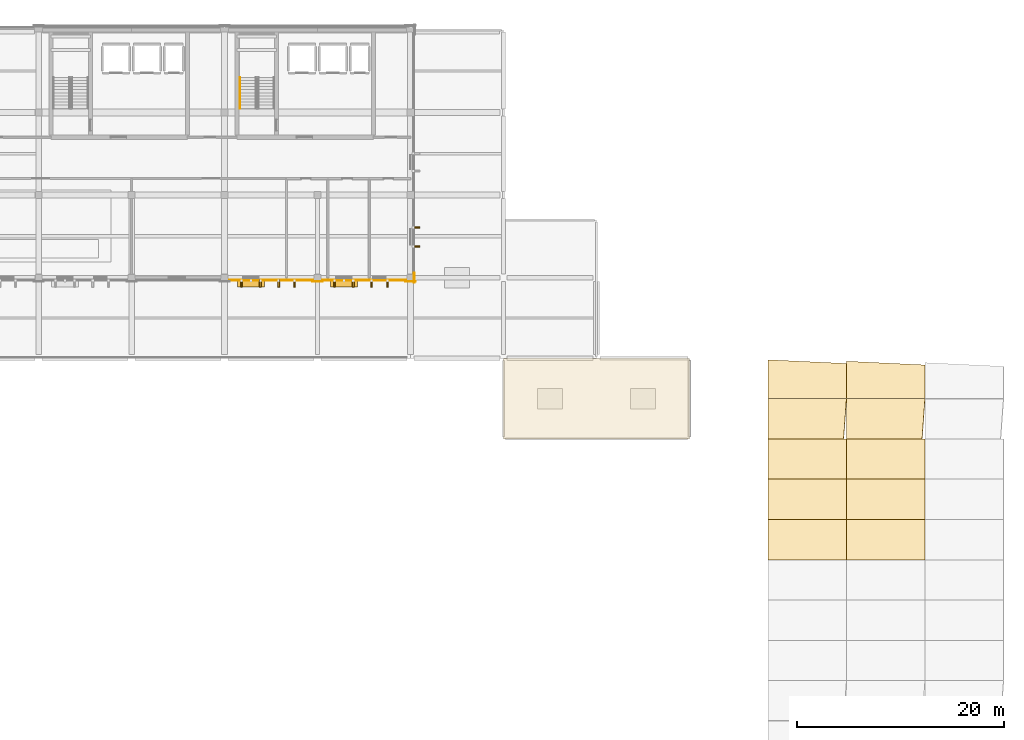
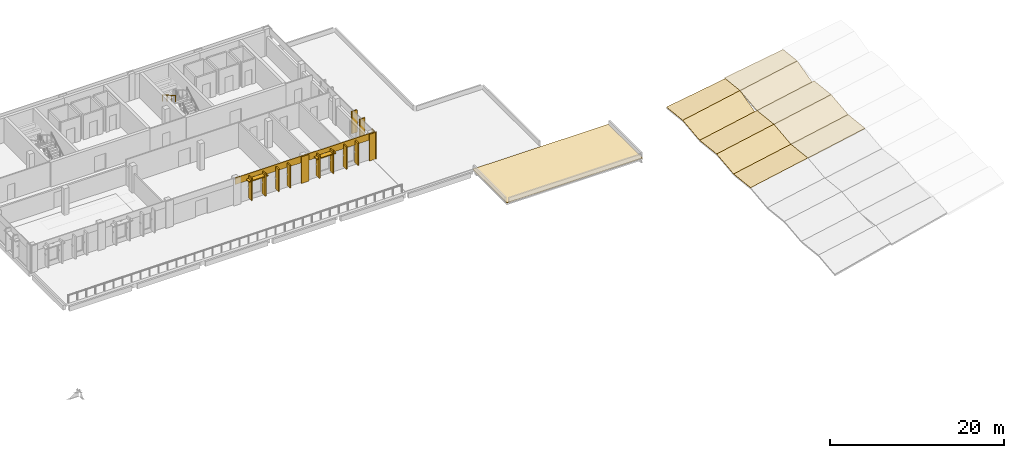
# One storey, part 21 of 23: 16 coverings, 12 shading devices, 1 railing.
"""IFC4 building model written with IfcOpenShell, lengths in metres."""

from ifc_helpers import new_model, si_unit, direction, frame, origin, origin_2d, place, context, subcontext, project, spatial, polyline, rectangle, circle, outline, extrude, material, layer, layer_set, type_object, element, save


model = new_model("IFC4")

# Units and contexts
model_context = context("Model", 3, precision=1e-05, world=origin(), true_north=direction((0.0, 1.0)))
body_context = subcontext(model_context, "Body", "Model", "MODEL_VIEW")
ifc_project = project(units=[si_unit("LENGTHUNIT", "METRE"), si_unit("AREAUNIT", "SQUARE_METRE"), si_unit("VOLUMEUNIT", "CUBIC_METRE"), si_unit("PLANEANGLEUNIT", "RADIAN"), si_unit("MASSUNIT", "GRAM", prefix="KILO")], contexts=[model_context])

# Site, building, storey
site_placement = place(None, origin())
site = spatial("IfcSite", under=ifc_project, at=site_placement, CompositionType="ELEMENT")
building_placement = place(site_placement, origin())
building = spatial("IfcBuilding", under=site, at=building_placement, Name="Vervanel Yard Central Library", CompositionType="ELEMENT")
storey_placement = place(building_placement, frame((0.0, 0.0, 16.52001953125)))
storey = spatial("IfcBuildingStorey", under=building, at=storey_placement, Name="L04", CompositionType="ELEMENT", Elevation=16.52001953125)

# Railing
ifc_material_1 = material(Name="Brushed stainless steel AISI 316", Category="steel")
railing_type = type_object("IfcRailingType", Name="Brushed Stainless Stair Handrail 900", PredefinedType="HANDRAIL", material=ifc_material_1)
railing_placement = place(storey_placement, frame((64.5, 109.39990234375, 2.0400390625)))
element("IfcRailing", 1, at=railing_placement, inside=storey, type_object=railing_type, Name="L04 ST-02 stair handrail 2", PredefinedType="HANDRAIL", context=body_context, shape_type="SweptSolid", body=[
    extrude(circle(Radius=0.02392578125, at=origin_2d()), frame((0.0, 0.0, 0.8759765625), z_axis=(0.0, -0.870028259722, 0.493001853226), x_axis=(1.0, 0.0, 0.0)), (0.0, 0.0, 1.0), 3.4482421875),
    extrude(circle(Radius=0.02099609375, at=origin_2d()), origin(), (0.0, 0.0, 1.0), 0.851806640625),
    extrude(circle(Radius=0.02099609375, at=origin_2d()), frame((0.0, -1.0, 0.566650390625)), (0.0, 0.0, 1.0), 0.851806640625),
    extrude(circle(Radius=0.02099609375, at=origin_2d()), frame((0.0, -2.0, 1.13330078125)), (0.0, 0.0, 1.0), 0.851806640625),
    extrude(circle(Radius=0.02099609375, at=origin_2d()), frame((0.0, -3.0, 1.699951171875)), (0.0, 0.0, 1.0), 0.851806640625),
])

# Coverings
ifc_material_2 = material(Name="Precast concrete C45/55", Category="concrete")
ifc_layer_1 = layer(ifc_material_2, 0.0849609375, Category="concrete")
ifc_layer_set_1 = layer_set([ifc_layer_1], Name="Precast concrete C45/55")
covering_type_1 = type_object("IfcCoveringType", Name="Bush-Hammered Precast Architectural Cladding Panel", PredefinedType="CLADDING", material=ifc_layer_set_1)
covering_1_placement = place(storey_placement, frame((67.5, 89.760009765625, 2.840087890625), z_axis=(0.0, 0.0, 1.0), x_axis=(1.0, 0.0, 0.0)))
element("IfcCovering", 2, at=covering_1_placement, inside=storey, type_object=covering_type_1, Name="L04 Precast Concrete Spandrel Cornice EWALL-L04-0068", PredefinedType="CLADDING", context=body_context, shape_type="SweptSolid", body=[
    extrude(rectangle(XDim=9.449951171875, YDim=0.0849609375, at=origin_2d()), origin(), (0.0, 0.0, 1.0), 0.919921875),
])
covering_2_placement = place(storey_placement, frame((72.0, 89.632568359375, 0.0), z_axis=(0.0, 0.0, 1.0), x_axis=(1.0, 0.0, 0.0)))
element("IfcCovering", 3, at=covering_2_placement, inside=storey, type_object=covering_type_1, Name="L04 Precast Concrete Pier Pilaster EWALL-L04-0068-B", PredefinedType="CLADDING", context=body_context, shape_type="SweptSolid", body=[
    extrude(rectangle(XDim=0.97998046875, YDim=0.0849609375, at=origin_2d()), origin(), (0.0, 0.0, 1.0), 3.760009765625),
])
covering_3_placement = place(storey_placement, frame((76.5, 89.760009765625, 2.840087890625), z_axis=(0.0, 0.0, 1.0), x_axis=(1.0, 0.0, 0.0)))
element("IfcCovering", 4, at=covering_3_placement, inside=storey, type_object=covering_type_1, Name="L04 Precast Concrete Spandrel Cornice EWALL-L04-0069", PredefinedType="CLADDING", context=body_context, shape_type="SweptSolid", body=[
    extrude(rectangle(XDim=9.449951171875, YDim=0.0849609375, at=origin_2d()), origin(), (0.0, 0.0, 1.0), 0.919921875),
])
for number, where, z_axis, x_axis, name in (
    (5, (81.0, 89.632568359375, 0.0), (0.0, 0.0, 1.0), (1.0, 0.0, 0.0), "L04 Precast Concrete Pier Pilaster EWALL-L04-0069-B"),
    (6, (81.367431640625, 90.0, 0.0), (0.0, 0.0, 1.0), (0.0, 1.0, 0.0), "L04 Precast Concrete Pier Pilaster EWALL-L04-0071-A"),
):
    element("IfcCovering", number, at=place(storey_placement, frame(where, z_axis=z_axis, x_axis=x_axis)), inside=storey, type_object=covering_type_1, Name=name, PredefinedType="CLADDING", context=body_context, shape_type="SweptSolid", body=[
        extrude(rectangle(XDim=0.97998046875, YDim=0.0849609375, at=origin_2d()), origin(), (0.0, 0.0, 1.0), 3.760009765625),
    ])

# Shading devices
shading_device_type_1 = type_object("IfcShadingDeviceType", Name="Horizontal Precast Brise-Soleil Sunhood 2600x680x140", PredefinedType="JALOUSIE", material=ifc_material_2)
for number, where, z_axis, x_axis, name in (
    (7, (65.550048828125, 89.4599609375, 2.97998046875), (0.0, 0.0, 1.0), (1.0, 0.0, 0.0), "L04 Precast Horizontal Sunhood 28"),
    (8, (74.550048828125, 89.4599609375, 2.97998046875), (0.0, 0.0, 1.0), (1.0, 0.0, 0.0), "L04 Precast Horizontal Sunhood 29"),
):
    element("IfcShadingDevice", number, at=place(storey_placement, frame(where, z_axis=z_axis, x_axis=x_axis)), inside=storey, type_object=shading_device_type_1, Name=name, PredefinedType="JALOUSIE", context=body_context, shape_type="SweptSolid", body=[
        extrude(rectangle(XDim=2.60009765625, YDim=0.679931640625, at=origin_2d()), origin(), (0.0, 0.0, 1.0), 0.139892578125),
    ])

# Coverings
ifc_material_3 = material(Name="Standing-seam dark zinc-coated metal roofing", Category="metal")
ifc_layer_2 = layer(ifc_material_3, 0.06494140625, Category="metal")
ifc_layer_set_2 = layer_set([ifc_layer_2], Name="Standing-seam dark zinc-coated metal roofing")
covering_type_2 = type_object("IfcCoveringType", Name="Standing-Seam Dark Zinc Roof Assembly", PredefinedType="ROOFING", material=ifc_layer_set_2)
covering_4_placement = place(storey_placement, origin())
element("IfcCovering", 9, at=covering_4_placement, inside=storey, type_object=covering_type_2, Name="L04 Roof Covering ROOF-L04-V3W", PredefinedType="ROOFING", context=body_context, shape_type="SweptSolid", body=[
    extrude(outline(polyline([(90.0, 74.39990234375), (108.0, 74.39990234375), (108.0, 82.199951171875), (90.0, 82.199951171875), (90.0, 74.39990234375)])), origin(), (0.0, 0.0, 1.0), 0.06494140625),
])
covering_5_placement = place(storey_placement, frame((115.60009765625, 62.699951171875, 0.302490234375), z_axis=(-0.194584882564, 0.10934530886, 0.974771935843), x_axis=(0.980652097773, 0.0, 0.19575868597)))
element("IfcCovering", 10, at=covering_5_placement, inside=storey, type_object=covering_type_2, Name="Standing-Seam Zinc Roofing V3-FS-B2-S06", PredefinedType="ROOFING", context=body_context, shape_type="SweptSolid", body=[
    extrude(outline(polyline([(0.0, 0.0), (7.749795807178863, 0.0), (7.664151382066939, 3.923673518786944), (-0.08564442511192301, 3.923673518786944), (0.0, 0.0)])), origin(), (0.0, 0.0, -1.0), 0.06494140625),
])
covering_6_placement = place(storey_placement, frame((115.60009765625, 66.60009765625, -0.135009765625), z_axis=(-0.194584736914, -0.109352072213, 0.974771206213), x_axis=(0.980652097773, 0.0, 0.19575868597)))
element("IfcCovering", 11, at=covering_6_placement, inside=storey, type_object=covering_type_2, Name="Standing-Seam Zinc Roofing V3-FS-B2-S07", PredefinedType="ROOFING", context=body_context, shape_type="SweptSolid", body=[
    extrude(outline(polyline([(0.0, 0.0), (7.749795807178863, 0.0), (7.835440232290786, 3.9234308421627606), (0.08564442511192301, 3.9234308421627606), (0.0, 0.0)])), origin(), (0.0, 0.0, -1.0), 0.06494140625),
])
covering_7_placement = place(storey_placement, frame((115.60009765625, 70.5, 0.302490234375), z_axis=(-0.194584736914, 0.109352072213, 0.974771206213), x_axis=(0.980652097773, 0.0, 0.19575868597)))
element("IfcCovering", 12, at=covering_7_placement, inside=storey, type_object=covering_type_2, Name="Standing-Seam Zinc Roofing V3-FS-B2-S08", PredefinedType="ROOFING", context=body_context, shape_type="SweptSolid", body=[
    extrude(outline(polyline([(0.0, 0.0), (7.749795807178863, 0.0), (7.664151382066939, 3.92343084216276), (-0.08564442511192301, 3.9234308421627606), (0.0, 0.0)])), origin(), (0.0, 0.0, -1.0), 0.06494140625),
])
covering_8_placement = place(storey_placement, frame((115.60009765625, 74.39990234375, -0.135009765625), z_axis=(-0.194584325626, -0.1093463891, 0.974771925843), x_axis=(0.980652206279, -6.1783e-08, 0.195758142411)))
element("IfcCovering", 13, at=covering_8_placement, inside=storey, type_object=covering_type_2, Name="Standing-Seam Zinc Roofing V3-FS-B2-S09", PredefinedType="ROOFING", context=body_context, shape_type="SweptSolid", body=[
    extrude(outline(polyline([(0.0, 0.0), (7.4642399733851565, -5.551115123125783e-17), (7.835439753518483, 3.9236744748785166), (0.08564394634082652, 3.923673529235079), (0.0, 0.0)])), origin(), (0.0, 0.0, -1.0), 0.06494140625),
])
covering_9_placement = place(storey_placement, frame((115.60009765625, 78.300048828125, 0.302490234375), z_axis=(-0.194579094651, 0.109320349997, 0.974775890655), x_axis=(0.980653352852, -7.05129e-07, 0.195752398555)))
element("IfcCovering", 14, at=covering_9_placement, inside=storey, type_object=covering_type_2, Name="Standing-Seam Zinc Roofing V3-FS-B2-S10", PredefinedType="ROOFING", context=body_context, shape_type="SweptSolid", body=[
    extrude(outline(polyline([(0.0, 0.0), (7.749795807017652, 2.7755575615628914e-17), (7.67514369125324, 3.4204077302387943), (-0.08253790331983774, 3.782675443543832), (0.0, 0.0)])), origin(), (0.0, 0.0, -1.0), 0.06494140625),
])
covering_10_placement = place(storey_placement, frame((123.199951171875, 62.699951171875, 1.819580078125), z_axis=(-0.194578868507, 0.109345441854, 0.974773121437), x_axis=(0.980653304953, 0.0, 0.195752638515)))
element("IfcCovering", 15, at=covering_10_placement, inside=storey, type_object=covering_type_2, Name="Standing-Seam Zinc Roofing V3-FS-B3-S06", PredefinedType="ROOFING", context=body_context, shape_type="SweptSolid", body=[
    extrude(outline(polyline([(0.0, 0.0), (7.750035224342283, 0.0), (7.6643934449919255, 3.9236735765367103), (-0.08564177935035812, 3.92367357653671), (0.0, 0.0)])), origin(), (0.0, 0.0, -1.0), 0.06494140625),
])
covering_11_placement = place(storey_placement, frame((123.199951171875, 66.60009765625, 1.382080078125), z_axis=(-0.194578722861, -0.109352205216, 0.974772391804), x_axis=(0.980653304953, 0.0, 0.195752638515)))
element("IfcCovering", 16, at=covering_11_placement, inside=storey, type_object=covering_type_2, Name="Standing-Seam Zinc Roofing V3-FS-B3-S07", PredefinedType="ROOFING", context=body_context, shape_type="SweptSolid", body=[
    extrude(outline(polyline([(0.0, 0.0), (7.750035224342283, 0.0), (7.835677003692641, 3.9234308999160996), (0.08564177935035812, 3.923430899916099), (0.0, 0.0)])), origin(), (0.0, 0.0, -1.0), 0.06494140625),
])
covering_12_placement = place(storey_placement, frame((123.199951171875, 70.5, 1.819580078125), z_axis=(-0.194578722861, 0.109352205216, 0.974772391804), x_axis=(0.980653304953, 0.0, 0.195752638515)))
element("IfcCovering", 17, at=covering_12_placement, inside=storey, type_object=covering_type_2, Name="Standing-Seam Zinc Roofing V3-FS-B3-S08", PredefinedType="ROOFING", context=body_context, shape_type="SweptSolid", body=[
    extrude(outline(polyline([(0.0, 0.0), (7.750035224342283, 0.0), (7.6643934449919255, 3.9234308999160996), (-0.08564177935035812, 3.923430899916099), (0.0, 0.0)])), origin(), (0.0, 0.0, -1.0), 0.06494140625),
])
covering_13_placement = place(storey_placement, frame((123.199951171875, 74.39990234375, 1.382080078125), z_axis=(-0.194578193846, -0.109346750469, 0.974773109314), x_axis=(0.980653436389, -7.4843e-08, 0.19575198006)))
element("IfcCovering", 18, at=covering_13_placement, inside=storey, type_object=covering_type_2, Name="Standing-Seam Zinc Roofing V3-FS-B3-S09", PredefinedType="ROOFING", context=body_context, shape_type="SweptSolid", body=[
    extrude(outline(polyline([(0.0, 0.0), (7.464479390606988, 2.7755575615628914e-17), (7.835676423718968, 3.9236747347588308), (0.0856411993784541, 3.9236735891923513), (0.0, 0.0)])), origin(), (0.0, 0.0, -1.0), 0.06494140625),
])
covering_14_placement = place(storey_placement, frame((123.199951171875, 78.300048828125, 1.819580078125), z_axis=(-0.194573802318, 0.109342164499, 0.974774500341), x_axis=(0.980654324163, -5.72745e-07, 0.195747532553)))
element("IfcCovering", 19, at=covering_14_placement, inside=storey, type_object=covering_type_2, Name="Standing-Seam Zinc Roofing V3-FS-B3-S10", PredefinedType="ROOFING", context=body_context, shape_type="SweptSolid", body=[
    extrude(outline(polyline([(0.0, 0.0), (7.750035224235962, 0.0), (7.678444049521932, 3.279678556706434), (-0.07947671843898192, 3.6417035962468316), (0.0, 0.0)])), origin(), (0.0, 0.0, -1.0), 0.06494140625),
])

# Shading devices
shading_device_type_2 = type_object("IfcShadingDeviceType", Name="Vertical Precast Solar Fin 160x720x3200", PredefinedType="JALOUSIE", material=ifc_material_2)
for number, where, z_axis, x_axis, name in (
    (20, (64.639892578125, 89.429931640625, 0.330078125), (0.0, 0.0, 1.0), (1.0, 0.0, 0.0), "L04 Precast Solar Fin 187"),
    (21, (66.4599609375, 89.429931640625, 0.330078125), (0.0, 0.0, 1.0), (1.0, 0.0, 0.0), "L04 Precast Solar Fin 188"),
    (22, (68.239990234375, 89.429931640625, 0.330078125), (0.0, 0.0, 1.0), (1.0, 0.0, 0.0), "L04 Precast Solar Fin 189"),
    (23, (69.760009765625, 89.429931640625, 0.330078125), (0.0, 0.0, 1.0), (1.0, 0.0, 0.0), "L04 Precast Solar Fin 190"),
    (24, (73.639892578125, 89.429931640625, 0.330078125), (0.0, 0.0, 1.0), (1.0, 0.0, 0.0), "L04 Precast Solar Fin 191"),
    (25, (75.4599609375, 89.429931640625, 0.330078125), (0.0, 0.0, 1.0), (1.0, 0.0, 0.0), "L04 Precast Solar Fin 192"),
    (26, (77.239990234375, 89.429931640625, 0.330078125), (0.0, 0.0, 1.0), (1.0, 0.0, 0.0), "L04 Precast Solar Fin 193"),
    (27, (78.760009765625, 89.429931640625, 0.330078125), (0.0, 0.0, 1.0), (1.0, 0.0, 0.0), "L04 Precast Solar Fin 194"),
    (28, (81.550048828125, 93.0400390625, 0.43017578125), (0.0, 0.0, 1.0), (0.0, 1.0, 0.0), "L04 Precast Solar Fin 201"),
    (29, (81.550048828125, 94.860107421875, 0.43017578125), (0.0, 0.0, 1.0), (0.0, 1.0, 0.0), "L04 Precast Solar Fin 202"),
):
    element("IfcShadingDevice", number, at=place(storey_placement, frame(where, z_axis=z_axis, x_axis=x_axis)), inside=storey, type_object=shading_device_type_2, Name=name, PredefinedType="JALOUSIE", context=body_context, shape_type="SweptSolid", body=[
        extrude(rectangle(XDim=0.159912109375, YDim=0.719970703125, at=origin_2d()), origin(), (0.0, 0.0, 1.0), 3.139892578125),
    ])

save(model, "model.ifc")
